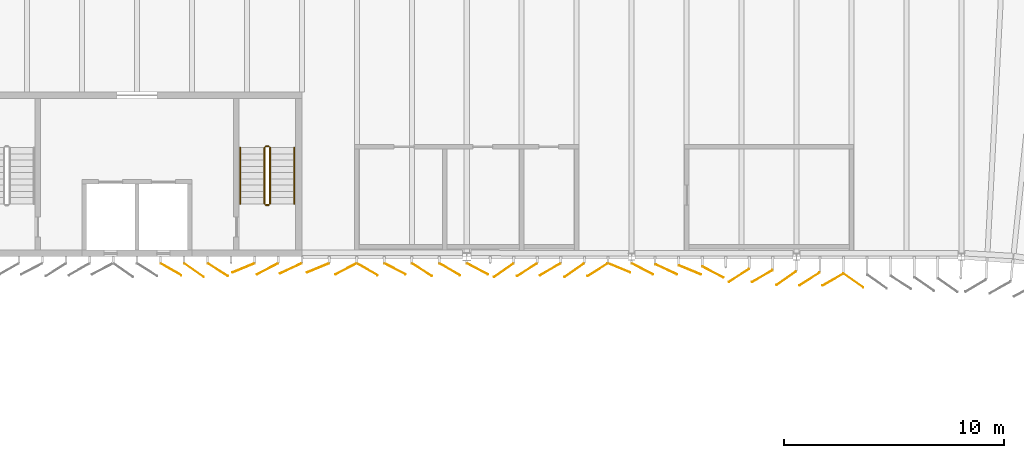
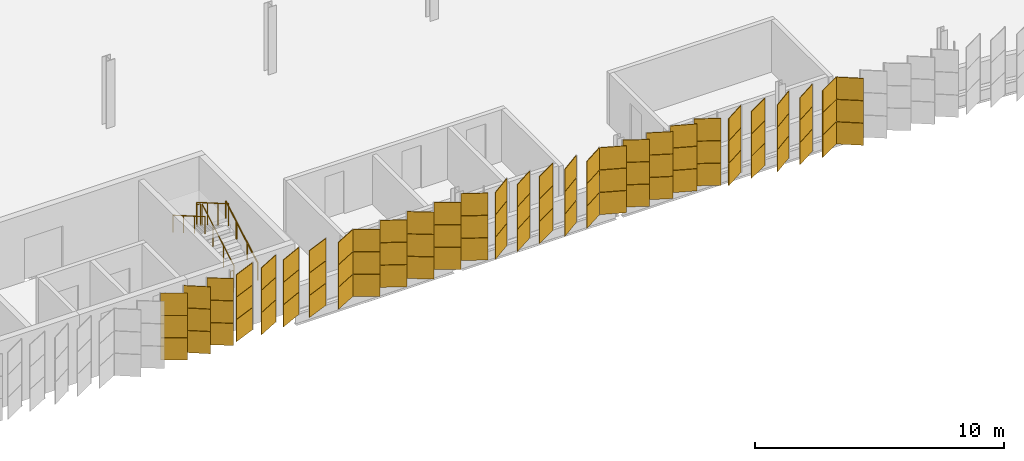
# One storey, part 192 of 199: 87 coverings, 6 railings.
"""IFC4 building model written with IfcOpenShell, lengths in metres."""

from ifc_helpers import new_model, si_unit, direction, frame, origin, origin_2d, place, context, subcontext, project, spatial, rectangle, circle, extrude, material, layer, layer_set, type_object, element, save


model = new_model("IFC4")

# Units and contexts
model_context = context("Model", 3, precision=1e-05, world=origin(), true_north=direction((0.0, 1.0)))
body_context = subcontext(model_context, "Body", "Model", "MODEL_VIEW")
ifc_project = project(units=[si_unit("LENGTHUNIT", "METRE"), si_unit("AREAUNIT", "SQUARE_METRE"), si_unit("VOLUMEUNIT", "CUBIC_METRE"), si_unit("PLANEANGLEUNIT", "RADIAN"), si_unit("MASSUNIT", "GRAM", prefix="KILO")], contexts=[model_context])

# Site, building, storey
site_placement = place(None, origin())
site = spatial("IfcSite", under=ifc_project, at=site_placement, CompositionType="ELEMENT")
building_placement = place(site_placement, origin())
building = spatial("IfcBuilding", under=site, at=building_placement, Name="Parallax Yard Mobility Hub", CompositionType="ELEMENT")
storey_placement = place(building_placement, frame((0.0, 0.0, 9.89990234375)))
storey = spatial("IfcBuildingStorey", under=building, at=storey_placement, Name="L03", CompositionType="ELEMENT", Elevation=9.89990234375)

# Coverings
ifc_material_1 = material(Name="Aluminium panel, champagne finish", Category="aluminium")
ifc_layer_1 = layer(ifc_material_1, 0.030029296875)
ifc_layer_set_1 = layer_set([ifc_layer_1], Name="Skin panel 22.5 degree turn, champagne finish")
covering_type_1 = type_object("IfcCoveringType", Name="Skin panel 22.5 degree turn, champagne finish", PredefinedType="CLADDING", material=ifc_layer_set_1)
for number, where, z_axis, x_axis, name in (
    (1, (139.839599609375, 111.987060546875, 0.02001953125), (0.0, 0.0, 1.0), (-0.923879532511, -0.382683432365, 0.0), "Skin panel 22.5 bay 13.12 row 1 level L03"),
    (2, (143.2333984375, 111.987060546875, 0.02001953125), (0.0, 0.0, 1.0), (-0.923879532511, -0.382683432365, 0.0), "Skin panel 22.5 bay 14.1 row 1 level L03"),
    (3, (156.9365234375, 111.987060546875, 0.02001953125), (0.0, 0.0, 1.0), (0.923879532511, -0.382683432365, 0.0), "Skin panel 22.5 bay 15.7 row 1 level L03"),
    (4, (160.151123046875, 111.892578125, 0.02001953125), (0.0, 0.0, 1.0), (0.923879532511, -0.382683432365, 0.0), "Skin panel 22.5 bay 16.3 row 1 level L03"),
):
    element("IfcCovering", number, at=place(storey_placement, frame(where, z_axis=z_axis, x_axis=x_axis)), inside=storey, type_object=covering_type_1, Name=name, ObjectType="SCREEN", PredefinedType="CLADDING", context=body_context, shape_type="SweptSolid", body=[
        extrude(rectangle(XDim=1.080078125, YDim=0.030029296875, at=origin_2d()), origin(), (0.0, 0.0, 1.0), 1.080078125),
    ])
ifc_material_2 = material(Name="Aluminium panel, silver anodised", Category="aluminium")
ifc_layer_2 = layer(ifc_material_2, 0.030029296875)
ifc_layer_set_2 = layer_set([ifc_layer_2], Name="Skin panel 22.5 degree turn, silver anodised")
covering_type_2 = type_object("IfcCoveringType", Name="Skin panel 22.5 degree turn, silver anodised", PredefinedType="CLADDING", material=ifc_layer_set_2)
for number, where, z_axis, x_axis, name in (
    (5, (139.839599609375, 111.987060546875, 1.1201171875), (0.0, 0.0, 1.0), (-0.923879532511, -0.382683432365, 0.0), "Skin panel 22.5 bay 13.12 row 2 level L03"),
    (6, (139.839599609375, 111.987060546875, 2.219970703125), (0.0, 0.0, 1.0), (-0.923879532511, -0.382683432365, 0.0), "Skin panel 22.5 bay 13.12 row 3 level L03"),
    (7, (143.2333984375, 111.987060546875, 1.1201171875), (0.0, 0.0, 1.0), (-0.923879532511, -0.382683432365, 0.0), "Skin panel 22.5 bay 14.1 row 2 level L03"),
    (8, (143.2333984375, 111.987060546875, 2.219970703125), (0.0, 0.0, 1.0), (-0.923879532511, -0.382683432365, 0.0), "Skin panel 22.5 bay 14.1 row 3 level L03"),
    (9, (156.9365234375, 111.987060546875, 1.1201171875), (0.0, 0.0, 1.0), (0.923879532511, -0.382683432365, 0.0), "Skin panel 22.5 bay 15.7 row 2 level L03"),
    (10, (156.9365234375, 111.987060546875, 2.219970703125), (0.0, 0.0, 1.0), (0.923879532511, -0.382683432365, 0.0), "Skin panel 22.5 bay 15.7 row 3 level L03"),
    (11, (160.151123046875, 111.892578125, 1.1201171875), (0.0, 0.0, 1.0), (0.923879532511, -0.382683432365, 0.0), "Skin panel 22.5 bay 16.3 row 2 level L03"),
    (12, (160.151123046875, 111.892578125, 2.219970703125), (0.0, 0.0, 1.0), (0.923879532511, -0.382683432365, 0.0), "Skin panel 22.5 bay 16.3 row 3 level L03"),
):
    element("IfcCovering", number, at=place(storey_placement, frame(where, z_axis=z_axis, x_axis=x_axis)), inside=storey, type_object=covering_type_2, Name=name, ObjectType="SCREEN", PredefinedType="CLADDING", context=body_context, shape_type="SweptSolid", body=[
        extrude(rectangle(XDim=1.080078125, YDim=0.030029296875, at=origin_2d()), origin(), (0.0, 0.0, 1.0), 1.080078125),
    ])
ifc_layer_3 = layer(ifc_material_1, 0.030029296875)
ifc_layer_set_3 = layer_set([ifc_layer_3], Name="Skin panel 25 degree turn, champagne finish")
covering_type_3 = type_object("IfcCoveringType", Name="Skin panel 25 degree turn, champagne finish", PredefinedType="CLADDING", material=ifc_layer_set_3)
for number, where, z_axis, x_axis, name in (
    (13, (141.993896484375, 111.96484375, 0.02001953125), (0.0, 0.0, 1.0), (-0.906307787037, -0.422618261741, 0.0), "Skin panel 25 bay 13.14 row 1 level L03"),
    (14, (159.06982421875, 111.923828125, 0.02001953125), (0.0, 0.0, 1.0), (0.906307787037, -0.422618261741, 0.0), "Skin panel 25 bay 16.2 row 1 level L03"),
):
    element("IfcCovering", number, at=place(storey_placement, frame(where, z_axis=z_axis, x_axis=x_axis)), inside=storey, type_object=covering_type_3, Name=name, ObjectType="SCREEN", PredefinedType="CLADDING", context=body_context, shape_type="SweptSolid", body=[
        extrude(rectangle(XDim=1.080078125, YDim=0.030029296875, at=origin_2d()), origin(), (0.0, 0.0, 1.0), 1.080078125),
    ])
ifc_layer_4 = layer(ifc_material_2, 0.030029296875)
ifc_layer_set_4 = layer_set([ifc_layer_4], Name="Skin panel 25 degree turn, silver anodised")
covering_type_4 = type_object("IfcCoveringType", Name="Skin panel 25 degree turn, silver anodised", PredefinedType="CLADDING", material=ifc_layer_set_4)
for number, where, z_axis, x_axis, name in (
    (15, (141.993896484375, 111.96484375, 1.1201171875), (0.0, 0.0, 1.0), (-0.906307787037, -0.422618261741, 0.0), "Skin panel 25 bay 13.14 row 2 level L03"),
    (16, (141.993896484375, 111.96484375, 2.219970703125), (0.0, 0.0, 1.0), (-0.906307787037, -0.422618261741, 0.0), "Skin panel 25 bay 13.14 row 3 level L03"),
    (17, (159.06982421875, 111.923828125, 1.1201171875), (0.0, 0.0, 1.0), (0.906307787037, -0.422618261741, 0.0), "Skin panel 25 bay 16.2 row 2 level L03"),
    (18, (159.06982421875, 111.923828125, 2.219970703125), (0.0, 0.0, 1.0), (0.906307787037, -0.422618261741, 0.0), "Skin panel 25 bay 16.2 row 3 level L03"),
):
    element("IfcCovering", number, at=place(storey_placement, frame(where, z_axis=z_axis, x_axis=x_axis)), inside=storey, type_object=covering_type_4, Name=name, ObjectType="SCREEN", PredefinedType="CLADDING", context=body_context, shape_type="SweptSolid", body=[
        extrude(rectangle(XDim=1.080078125, YDim=0.030029296875, at=origin_2d()), origin(), (0.0, 0.0, 1.0), 1.080078125),
    ])
ifc_layer_5 = layer(ifc_material_1, 0.030029296875)
ifc_layer_set_5 = layer_set([ifc_layer_5], Name="Skin panel 27.5 degree turn, champagne finish")
covering_type_5 = type_object("IfcCoveringType", Name="Skin panel 27.5 degree turn, champagne finish", PredefinedType="CLADDING", material=ifc_layer_set_5)
for number, where, z_axis, x_axis, name in (
    (19, (140.932373046875, 111.943115234375, 0.02001953125), (0.0, 0.0, 1.0), (-0.887010833178, -0.461748613235, 0.0), "Skin panel 27.5 bay 13.13 row 1 level L03"),
    (20, (144.5029296875, 111.943115234375, 0.02001953125), (0.0, 0.0, 1.0), (-0.887010833178, -0.461748613235, 0.0), "Skin panel 27.5 bay 14.2 row 1 level L03"),
    (21, (146.7392578125, 111.943115234375, 0.02001953125), (0.0, 0.0, 1.0), (0.887010833178, -0.461748613235, 0.0), "Skin panel 27.5 bay 14.4 row 1 level L03"),
    (22, (150.487060546875, 111.943115234375, 0.02001953125), (0.0, 0.0, 1.0), (0.887010833178, -0.461748613235, 0.0), "Skin panel 27.5 bay 15.1 row 1 level L03"),
    (23, (157.987548828125, 111.943115234375, 0.02001953125), (0.0, 0.0, 1.0), (0.887010833178, -0.461748613235, 0.0), "Skin panel 27.5 bay 16.1 row 1 level L03"),
    (24, (161.2021484375, 111.794921875, 0.02001953125), (0.0, 0.0, 1.0), (0.887010833178, -0.461748613235, 0.0), "Skin panel 27.5 bay 16.4 row 1 level L03"),
):
    element("IfcCovering", number, at=place(storey_placement, frame(where, z_axis=z_axis, x_axis=x_axis)), inside=storey, type_object=covering_type_5, Name=name, ObjectType="SCREEN", PredefinedType="CLADDING", context=body_context, shape_type="SweptSolid", body=[
        extrude(rectangle(XDim=1.080078125, YDim=0.030029296875, at=origin_2d()), origin(), (0.0, 0.0, 1.0), 1.080078125),
    ])
ifc_layer_6 = layer(ifc_material_2, 0.030029296875)
ifc_layer_set_6 = layer_set([ifc_layer_6], Name="Skin panel 27.5 degree turn, silver anodised")
covering_type_6 = type_object("IfcCoveringType", Name="Skin panel 27.5 degree turn, silver anodised", PredefinedType="CLADDING", material=ifc_layer_set_6)
for number, where, z_axis, x_axis, name in (
    (25, (140.932373046875, 111.943115234375, 1.1201171875), (0.0, 0.0, 1.0), (-0.887010833178, -0.461748613235, 0.0), "Skin panel 27.5 bay 13.13 row 2 level L03"),
    (26, (140.932373046875, 111.943115234375, 2.219970703125), (0.0, 0.0, 1.0), (-0.887010833178, -0.461748613235, 0.0), "Skin panel 27.5 bay 13.13 row 3 level L03"),
    (27, (144.5029296875, 111.943115234375, 1.1201171875), (0.0, 0.0, 1.0), (-0.887010833178, -0.461748613235, 0.0), "Skin panel 27.5 bay 14.2 row 2 level L03"),
    (28, (144.5029296875, 111.943115234375, 2.219970703125), (0.0, 0.0, 1.0), (-0.887010833178, -0.461748613235, 0.0), "Skin panel 27.5 bay 14.2 row 3 level L03"),
    (29, (146.7392578125, 111.943115234375, 1.1201171875), (0.0, 0.0, 1.0), (0.887010833178, -0.461748613235, 0.0), "Skin panel 27.5 bay 14.4 row 2 level L03"),
    (30, (146.7392578125, 111.943115234375, 2.219970703125), (0.0, 0.0, 1.0), (0.887010833178, -0.461748613235, 0.0), "Skin panel 27.5 bay 14.4 row 3 level L03"),
    (31, (150.487060546875, 111.943115234375, 1.1201171875), (0.0, 0.0, 1.0), (0.887010833178, -0.461748613235, 0.0), "Skin panel 27.5 bay 15.1 row 2 level L03"),
    (32, (150.487060546875, 111.943115234375, 2.219970703125), (0.0, 0.0, 1.0), (0.887010833178, -0.461748613235, 0.0), "Skin panel 27.5 bay 15.1 row 3 level L03"),
    (33, (157.987548828125, 111.943115234375, 1.1201171875), (0.0, 0.0, 1.0), (0.887010833178, -0.461748613235, 0.0), "Skin panel 27.5 bay 16.1 row 2 level L03"),
    (34, (157.987548828125, 111.943115234375, 2.219970703125), (0.0, 0.0, 1.0), (0.887010833178, -0.461748613235, 0.0), "Skin panel 27.5 bay 16.1 row 3 level L03"),
    (35, (161.2021484375, 111.794921875, 1.1201171875), (0.0, 0.0, 1.0), (0.887010833178, -0.461748613235, 0.0), "Skin panel 27.5 bay 16.4 row 2 level L03"),
    (36, (161.2021484375, 111.794921875, 2.219970703125), (0.0, 0.0, 1.0), (0.887010833178, -0.461748613235, 0.0), "Skin panel 27.5 bay 16.4 row 3 level L03"),
):
    element("IfcCovering", number, at=place(storey_placement, frame(where, z_axis=z_axis, x_axis=x_axis)), inside=storey, type_object=covering_type_6, Name=name, ObjectType="SCREEN", PredefinedType="CLADDING", context=body_context, shape_type="SweptSolid", body=[
        extrude(rectangle(XDim=1.080078125, YDim=0.030029296875, at=origin_2d()), origin(), (0.0, 0.0, 1.0), 1.080078125),
    ])
ifc_layer_7 = layer(ifc_material_1, 0.030029296875)
ifc_layer_set_7 = layer_set([ifc_layer_7], Name="Skin panel 30 degree turn, champagne finish")
covering_type_7 = type_object("IfcCoveringType", Name="Skin panel 30 degree turn, champagne finish", PredefinedType="CLADDING", material=ifc_layer_set_7)
for number, where, z_axis, x_axis, name in (
    (37, (136.54638671875, 111.921875, 0.02001953125), (0.0, 0.0, 1.0), (0.866025403784, -0.5, 0.0), "Skin panel 30 bay 13.9 row 1 level L03"),
    (38, (145.478271484375, 111.921875, 0.02001953125), (0.0, 0.0, 1.0), (0.866025403784, -0.5, 0.0), "Skin panel 30 bay 14.3 row 1 level L03"),
    (39, (149.22607421875, 111.921875, 0.02001953125), (0.0, 0.0, 1.0), (0.866025403784, -0.5, 0.0), "Skin panel 30 bay 14.6 row 1 level L03"),
    (40, (153.797607421875, 111.921875, 0.02001953125), (0.0, 0.0, 1.0), (-0.866025403784, -0.5, 0.0), "Skin panel 30 bay 15.4 row 1 level L03"),
    (41, (163.44140625, 111.61279296875, 0.02001953125), (0.0, 0.0, 1.0), (-0.866025403784, -0.5, 0.0), "Skin panel 30 bay 16.6 row 1 level L03"),
    (42, (166.65576171875, 111.4521484375, 0.02001953125), (0.0, 0.0, 1.0), (-0.866025403784, -0.5, 0.0), "Skin panel 30 bay 17.2 row 1 level L03"),
):
    element("IfcCovering", number, at=place(storey_placement, frame(where, z_axis=z_axis, x_axis=x_axis)), inside=storey, type_object=covering_type_7, Name=name, ObjectType="SCREEN", PredefinedType="CLADDING", context=body_context, shape_type="SweptSolid", body=[
        extrude(rectangle(XDim=1.080078125, YDim=0.030029296875, at=origin_2d()), origin(), (0.0, 0.0, 1.0), 1.080078125),
    ])
ifc_layer_8 = layer(ifc_material_2, 0.030029296875)
ifc_layer_set_8 = layer_set([ifc_layer_8], Name="Skin panel 30 degree turn, silver anodised")
covering_type_8 = type_object("IfcCoveringType", Name="Skin panel 30 degree turn, silver anodised", PredefinedType="CLADDING", material=ifc_layer_set_8)
for number, where, z_axis, x_axis, name in (
    (43, (136.54638671875, 111.921875, 1.1201171875), (0.0, 0.0, 1.0), (0.866025403784, -0.5, 0.0), "Skin panel 30 bay 13.9 row 2 level L03"),
    (44, (136.54638671875, 111.921875, 2.219970703125), (0.0, 0.0, 1.0), (0.866025403784, -0.5, 0.0), "Skin panel 30 bay 13.9 row 3 level L03"),
    (45, (145.478271484375, 111.921875, 1.1201171875), (0.0, 0.0, 1.0), (0.866025403784, -0.5, 0.0), "Skin panel 30 bay 14.3 row 2 level L03"),
    (46, (145.478271484375, 111.921875, 2.219970703125), (0.0, 0.0, 1.0), (0.866025403784, -0.5, 0.0), "Skin panel 30 bay 14.3 row 3 level L03"),
    (47, (149.22607421875, 111.921875, 1.1201171875), (0.0, 0.0, 1.0), (0.866025403784, -0.5, 0.0), "Skin panel 30 bay 14.6 row 2 level L03"),
    (48, (149.22607421875, 111.921875, 2.219970703125), (0.0, 0.0, 1.0), (0.866025403784, -0.5, 0.0), "Skin panel 30 bay 14.6 row 3 level L03"),
    (49, (153.797607421875, 111.921875, 1.1201171875), (0.0, 0.0, 1.0), (-0.866025403784, -0.5, 0.0), "Skin panel 30 bay 15.4 row 2 level L03"),
    (50, (153.797607421875, 111.921875, 2.219970703125), (0.0, 0.0, 1.0), (-0.866025403784, -0.5, 0.0), "Skin panel 30 bay 15.4 row 3 level L03"),
    (51, (163.44140625, 111.61279296875, 1.1201171875), (0.0, 0.0, 1.0), (-0.866025403784, -0.5, 0.0), "Skin panel 30 bay 16.6 row 2 level L03"),
    (52, (163.44140625, 111.61279296875, 2.219970703125), (0.0, 0.0, 1.0), (-0.866025403784, -0.5, 0.0), "Skin panel 30 bay 16.6 row 3 level L03"),
    (53, (166.65576171875, 111.4521484375, 1.1201171875), (0.0, 0.0, 1.0), (-0.866025403784, -0.5, 0.0), "Skin panel 30 bay 17.2 row 2 level L03"),
    (54, (166.65576171875, 111.4521484375, 2.219970703125), (0.0, 0.0, 1.0), (-0.866025403784, -0.5, 0.0), "Skin panel 30 bay 17.2 row 3 level L03"),
):
    element("IfcCovering", number, at=place(storey_placement, frame(where, z_axis=z_axis, x_axis=x_axis)), inside=storey, type_object=covering_type_8, Name=name, ObjectType="SCREEN", PredefinedType="CLADDING", context=body_context, shape_type="SweptSolid", body=[
        extrude(rectangle(XDim=1.080078125, YDim=0.030029296875, at=origin_2d()), origin(), (0.0, 0.0, 1.0), 1.080078125),
    ])
ifc_layer_9 = layer(ifc_material_1, 0.030029296875)
ifc_layer_set_9 = layer_set([ifc_layer_9], Name="Skin panel 32.5 degree turn, champagne finish")
covering_type_9 = type_object("IfcCoveringType", Name="Skin panel 32.5 degree turn, champagne finish", PredefinedType="CLADDING", material=ifc_layer_set_9)
for number, where, z_axis, x_axis, name in (
    (55, (138.678466796875, 111.901123046875, 0.02001953125), (0.0, 0.0, 1.0), (0.843391445813, -0.537299608347, 0.0), "Skin panel 32.5 bay 13.11 row 1 level L03"),
    (56, (147.96435546875, 111.901123046875, 0.02001953125), (0.0, 0.0, 1.0), (0.843391445813, -0.537299608347, 0.0), "Skin panel 32.5 bay 14.5 row 1 level L03"),
    (57, (152.73876953125, 111.901123046875, 0.02001953125), (0.0, 0.0, 1.0), (-0.843391445813, -0.537299608347, 0.0), "Skin panel 32.5 bay 15.3 row 1 level L03"),
    (58, (155.953369140625, 111.901123046875, 0.02001953125), (0.0, 0.0, 1.0), (-0.843391445813, -0.537299608347, 0.0), "Skin panel 32.5 bay 15.6 row 1 level L03"),
    (59, (162.38232421875, 111.645751953125, 0.02001953125), (0.0, 0.0, 1.0), (-0.843391445813, -0.537299608347, 0.0), "Skin panel 32.5 bay 16.5 row 1 level L03"),
    (60, (165.596923828125, 111.485107421875, 0.02001953125), (0.0, 0.0, 1.0), (-0.843391445813, -0.537299608347, 0.0), "Skin panel 32.5 bay 17.1 row 1 level L03"),
):
    element("IfcCovering", number, at=place(storey_placement, frame(where, z_axis=z_axis, x_axis=x_axis)), inside=storey, type_object=covering_type_9, Name=name, ObjectType="SCREEN", PredefinedType="CLADDING", context=body_context, shape_type="SweptSolid", body=[
        extrude(rectangle(XDim=1.080078125, YDim=0.030029296875, at=origin_2d()), origin(), (0.0, 0.0, 1.0), 1.080078125),
    ])
ifc_layer_10 = layer(ifc_material_2, 0.030029296875)
ifc_layer_set_10 = layer_set([ifc_layer_10], Name="Skin panel 32.5 degree turn, silver anodised")
covering_type_10 = type_object("IfcCoveringType", Name="Skin panel 32.5 degree turn, silver anodised", PredefinedType="CLADDING", material=ifc_layer_set_10)
for number, where, z_axis, x_axis, name in (
    (61, (138.678466796875, 111.901123046875, 1.1201171875), (0.0, 0.0, 1.0), (0.843391445813, -0.537299608347, 0.0), "Skin panel 32.5 bay 13.11 row 2 level L03"),
    (62, (138.678466796875, 111.901123046875, 2.219970703125), (0.0, 0.0, 1.0), (0.843391445813, -0.537299608347, 0.0), "Skin panel 32.5 bay 13.11 row 3 level L03"),
    (63, (147.96435546875, 111.901123046875, 1.1201171875), (0.0, 0.0, 1.0), (0.843391445813, -0.537299608347, 0.0), "Skin panel 32.5 bay 14.5 row 2 level L03"),
    (64, (147.96435546875, 111.901123046875, 2.219970703125), (0.0, 0.0, 1.0), (0.843391445813, -0.537299608347, 0.0), "Skin panel 32.5 bay 14.5 row 3 level L03"),
    (65, (152.73876953125, 111.901123046875, 1.1201171875), (0.0, 0.0, 1.0), (-0.843391445813, -0.537299608347, 0.0), "Skin panel 32.5 bay 15.3 row 2 level L03"),
    (66, (152.73876953125, 111.901123046875, 2.219970703125), (0.0, 0.0, 1.0), (-0.843391445813, -0.537299608347, 0.0), "Skin panel 32.5 bay 15.3 row 3 level L03"),
    (67, (155.953369140625, 111.901123046875, 1.1201171875), (0.0, 0.0, 1.0), (-0.843391445813, -0.537299608347, 0.0), "Skin panel 32.5 bay 15.6 row 2 level L03"),
    (68, (155.953369140625, 111.901123046875, 2.219970703125), (0.0, 0.0, 1.0), (-0.843391445813, -0.537299608347, 0.0), "Skin panel 32.5 bay 15.6 row 3 level L03"),
    (69, (162.38232421875, 111.645751953125, 1.1201171875), (0.0, 0.0, 1.0), (-0.843391445813, -0.537299608347, 0.0), "Skin panel 32.5 bay 16.5 row 2 level L03"),
    (70, (162.38232421875, 111.645751953125, 2.219970703125), (0.0, 0.0, 1.0), (-0.843391445813, -0.537299608347, 0.0), "Skin panel 32.5 bay 16.5 row 3 level L03"),
    (71, (165.596923828125, 111.485107421875, 1.1201171875), (0.0, 0.0, 1.0), (-0.843391445813, -0.537299608347, 0.0), "Skin panel 32.5 bay 17.1 row 2 level L03"),
    (72, (165.596923828125, 111.485107421875, 2.219970703125), (0.0, 0.0, 1.0), (-0.843391445813, -0.537299608347, 0.0), "Skin panel 32.5 bay 17.1 row 3 level L03"),
):
    element("IfcCovering", number, at=place(storey_placement, frame(where, z_axis=z_axis, x_axis=x_axis)), inside=storey, type_object=covering_type_10, Name=name, ObjectType="SCREEN", PredefinedType="CLADDING", context=body_context, shape_type="SweptSolid", body=[
        extrude(rectangle(XDim=1.080078125, YDim=0.030029296875, at=origin_2d()), origin(), (0.0, 0.0, 1.0), 1.080078125),
    ])
ifc_layer_11 = layer(ifc_material_1, 0.030029296875)
ifc_layer_set_11 = layer_set([ifc_layer_11], Name="Skin panel 35 degree turn, champagne finish")
covering_type_11 = type_object("IfcCoveringType", Name="Skin panel 35 degree turn, champagne finish", PredefinedType="CLADDING", material=ifc_layer_set_11)
for number, where, z_axis, x_axis, name in (
    (73, (137.5927734375, 111.880859375, 0.02001953125), (0.0, 0.0, 1.0), (0.819152044289, -0.573576436351, 0.0), "Skin panel 35 bay 13.10 row 1 level L03"),
    (74, (151.680908203125, 111.880859375, 0.02001953125), (0.0, 0.0, 1.0), (-0.819152044289, -0.573576436351, 0.0), "Skin panel 35 bay 15.2 row 1 level L03"),
    (75, (154.895263671875, 111.880859375, 0.02001953125), (0.0, 0.0, 1.0), (-0.819152044289, -0.573576436351, 0.0), "Skin panel 35 bay 15.5 row 1 level L03"),
    (76, (164.538818359375, 111.518310546875, 0.02001953125), (0.0, 0.0, 1.0), (-0.819152044289, -0.573576436351, 0.0), "Skin panel 35 bay 16.7 row 1 level L03"),
    (77, (167.59326171875, 111.4111328125, 0.02001953125), (0.0, 0.0, 1.0), (0.819152044289, -0.573576436351, 0.0), "Skin panel 35 bay 17.3 row 1 level L03"),
):
    element("IfcCovering", number, at=place(storey_placement, frame(where, z_axis=z_axis, x_axis=x_axis)), inside=storey, type_object=covering_type_11, Name=name, ObjectType="SCREEN", PredefinedType="CLADDING", context=body_context, shape_type="SweptSolid", body=[
        extrude(rectangle(XDim=1.080078125, YDim=0.030029296875, at=origin_2d()), origin(), (0.0, 0.0, 1.0), 1.080078125),
    ])
ifc_layer_12 = layer(ifc_material_2, 0.030029296875)
ifc_layer_set_12 = layer_set([ifc_layer_12], Name="Skin panel 35 degree turn, silver anodised")
covering_type_12 = type_object("IfcCoveringType", Name="Skin panel 35 degree turn, silver anodised", PredefinedType="CLADDING", material=ifc_layer_set_12)
for number, where, z_axis, x_axis, name in (
    (78, (137.5927734375, 111.880859375, 1.1201171875), (0.0, 0.0, 1.0), (0.819152044289, -0.573576436351, 0.0), "Skin panel 35 bay 13.10 row 2 level L03"),
    (79, (137.5927734375, 111.880859375, 2.219970703125), (0.0, 0.0, 1.0), (0.819152044289, -0.573576436351, 0.0), "Skin panel 35 bay 13.10 row 3 level L03"),
    (80, (151.680908203125, 111.880859375, 1.1201171875), (0.0, 0.0, 1.0), (-0.819152044289, -0.573576436351, 0.0), "Skin panel 35 bay 15.2 row 2 level L03"),
    (81, (151.680908203125, 111.880859375, 2.219970703125), (0.0, 0.0, 1.0), (-0.819152044289, -0.573576436351, 0.0), "Skin panel 35 bay 15.2 row 3 level L03"),
    (82, (154.895263671875, 111.880859375, 1.1201171875), (0.0, 0.0, 1.0), (-0.819152044289, -0.573576436351, 0.0), "Skin panel 35 bay 15.5 row 2 level L03"),
    (83, (154.895263671875, 111.880859375, 2.219970703125), (0.0, 0.0, 1.0), (-0.819152044289, -0.573576436351, 0.0), "Skin panel 35 bay 15.5 row 3 level L03"),
    (84, (164.538818359375, 111.518310546875, 1.1201171875), (0.0, 0.0, 1.0), (-0.819152044289, -0.573576436351, 0.0), "Skin panel 35 bay 16.7 row 2 level L03"),
    (85, (164.538818359375, 111.518310546875, 2.219970703125), (0.0, 0.0, 1.0), (-0.819152044289, -0.573576436351, 0.0), "Skin panel 35 bay 16.7 row 3 level L03"),
    (86, (167.59326171875, 111.4111328125, 1.1201171875), (0.0, 0.0, 1.0), (0.819152044289, -0.573576436351, 0.0), "Skin panel 35 bay 17.3 row 2 level L03"),
    (87, (167.59326171875, 111.4111328125, 2.219970703125), (0.0, 0.0, 1.0), (0.819152044289, -0.573576436351, 0.0), "Skin panel 35 bay 17.3 row 3 level L03"),
):
    element("IfcCovering", number, at=place(storey_placement, frame(where, z_axis=z_axis, x_axis=x_axis)), inside=storey, type_object=covering_type_12, Name=name, ObjectType="SCREEN", PredefinedType="CLADDING", context=body_context, shape_type="SweptSolid", body=[
        extrude(rectangle(XDim=1.080078125, YDim=0.030029296875, at=origin_2d()), origin(), (0.0, 0.0, 1.0), 1.080078125),
    ])

# Railings
ifc_material_3 = material(Name="Steel ASTM A36", Category="steel")
railing_type_1 = type_object("IfcRailingType", Name="Stair guard 1100", PredefinedType="GUARDRAIL", material=ifc_material_3)
railing_1_placement = place(storey_placement, frame((141.050048828125, 114.89990234375, 0.1650390625)))
element("IfcRailing", 88, at=railing_1_placement, inside=storey, type_object=railing_type_1, Name="L03 ST5 stair guard 1", PredefinedType="GUARDRAIL", context=body_context, shape_type="SweptSolid", body=[
    extrude(circle(Radius=0.02392578125, at=origin_2d()), frame((0.0, 0.0, 1.076171875), z_axis=(0.0, 0.865426285481, 0.501036270542), x_axis=(-1.0, 0.0, 0.0)), (0.0, 0.0, 1.0), 2.964111328125),
    extrude(circle(Radius=0.02099609375, at=origin_2d()), origin(), (0.0, 0.0, 1.0), 1.052001953125),
    extrude(circle(Radius=0.02099609375, at=origin_2d()), frame((0.0, 0.85498046875, 0.4951171875)), (0.0, 0.0, 1.0), 1.052001953125),
    extrude(circle(Radius=0.02099609375, at=origin_2d()), frame((0.0, 1.710205078125, 0.989990234375)), (0.0, 0.0, 1.0), 1.052001953125),
    extrude(circle(Radius=0.02099609375, at=origin_2d()), frame((0.0, 2.565185546875, 1.485107421875)), (0.0, 0.0, 1.0), 1.052001953125),
])
railing_2_placement = place(storey_placement, frame((141.0, 117.514892578125, 1.650146484375)))
element("IfcRailing", 89, at=railing_2_placement, inside=storey, type_object=railing_type_1, Name="L03 ST5 stair guard 2", PredefinedType="GUARDRAIL", context=body_context, shape_type="SweptSolid", body=[
    extrude(circle(Radius=0.02392578125, at=origin_2d()), frame((0.0, 0.0, 1.076171875), z_axis=(-1.0, 0.0, 0.0), x_axis=(0.0, -1.0, 0.0)), (0.0, 0.0, 1.0), 0.14990234375),
    extrude(circle(Radius=0.02099609375, at=origin_2d()), origin(), (0.0, 0.0, 1.0), 1.052001953125),
    extrude(circle(Radius=0.02099609375, at=origin_2d()), frame((-0.14990234375, 0.0, 0.0)), (0.0, 0.0, 1.0), 1.052001953125),
])
railing_3_placement = place(storey_placement, frame((140.800048828125, 117.465087890625, 1.815185546875)))
element("IfcRailing", 90, at=railing_3_placement, inside=storey, type_object=railing_type_1, Name="L03 ST5 stair guard 3", PredefinedType="GUARDRAIL", context=body_context, shape_type="SweptSolid", body=[
    extrude(circle(Radius=0.02392578125, at=origin_2d()), frame((0.0, 0.0, 1.076171875), z_axis=(0.0, -0.865461999751, 0.500974577186), x_axis=(1.0, 0.0, 0.0)), (0.0, 0.0, 1.0), 2.9638671875),
    extrude(circle(Radius=0.02099609375, at=origin_2d()), origin(), (0.0, 0.0, 1.0), 1.052001953125),
    extrude(circle(Radius=0.02099609375, at=origin_2d()), frame((0.0, -0.85498046875, 0.494873046875)), (0.0, 0.0, 1.0), 1.052001953125),
    extrude(circle(Radius=0.02099609375, at=origin_2d()), frame((0.0, -1.710205078125, 0.989990234375)), (0.0, 0.0, 1.0), 1.052001953125),
    extrude(circle(Radius=0.02099609375, at=origin_2d()), frame((0.0, -2.565185546875, 1.48486328125)), (0.0, 0.0, 1.0), 1.052001953125),
])
railing_4_placement = place(storey_placement, frame((141.0, 114.85009765625, 0.0)))
element("IfcRailing", 91, at=railing_4_placement, inside=storey, type_object=railing_type_1, Name="L03 ST5 stair guard 4", PredefinedType="GUARDRAIL", context=body_context, shape_type="SweptSolid", body=[
    extrude(circle(Radius=0.02392578125, at=origin_2d()), frame((0.0, 0.0, 1.076171875), z_axis=(-1.0, 0.0, 0.0), x_axis=(0.0, -1.0, 0.0)), (0.0, 0.0, 1.0), 0.14990234375),
    extrude(circle(Radius=0.02099609375, at=origin_2d()), origin(), (0.0, 0.0, 1.0), 1.052001953125),
    extrude(circle(Radius=0.02099609375, at=origin_2d()), frame((-0.14990234375, 0.0, 0.0)), (0.0, 0.0, 1.0), 1.052001953125),
])
railing_type_2 = type_object("IfcRailingType", Name="Stair handrail", PredefinedType="HANDRAIL", material=ifc_material_3)
railing_5_placement = place(storey_placement, frame((142.14990234375, 114.89990234375, 0.1650390625)))
element("IfcRailing", 92, at=railing_5_placement, inside=storey, type_object=railing_type_2, Name="L03 ST5 stair handrail 1", PredefinedType="HANDRAIL", context=body_context, shape_type="SweptSolid", body=[
    extrude(circle(Radius=0.02392578125, at=origin_2d()), frame((0.0, 0.0, 0.8310546875), z_axis=(0.0, 0.865426285481, 0.501036270542), x_axis=(-1.0, 0.0, 0.0)), (0.0, 0.0, 1.0), 2.964111328125),
    extrude(circle(Radius=0.02099609375, at=origin_2d()), origin(), (0.0, 0.0, 1.0), 0.806884765625),
    extrude(circle(Radius=0.02099609375, at=origin_2d()), frame((0.0, 0.85498046875, 0.4951171875)), (0.0, 0.0, 1.0), 0.806884765625),
    extrude(circle(Radius=0.02099609375, at=origin_2d()), frame((0.0, 1.710205078125, 0.989990234375)), (0.0, 0.0, 1.0), 0.806884765625),
    extrude(circle(Radius=0.02099609375, at=origin_2d()), frame((0.0, 2.565185546875, 1.485107421875)), (0.0, 0.0, 1.0), 0.806884765625),
])
railing_6_placement = place(storey_placement, frame((139.699951171875, 117.465087890625, 1.815185546875)))
element("IfcRailing", 93, at=railing_6_placement, inside=storey, type_object=railing_type_2, Name="L03 ST5 stair handrail 2", PredefinedType="HANDRAIL", context=body_context, shape_type="SweptSolid", body=[
    extrude(circle(Radius=0.02392578125, at=origin_2d()), frame((0.0, 0.0, 0.8310546875), z_axis=(0.0, -0.865461999751, 0.500974577186), x_axis=(1.0, 0.0, 0.0)), (0.0, 0.0, 1.0), 2.9638671875),
    extrude(circle(Radius=0.02099609375, at=origin_2d()), origin(), (0.0, 0.0, 1.0), 0.806884765625),
    extrude(circle(Radius=0.02099609375, at=origin_2d()), frame((0.0, -0.85498046875, 0.494873046875)), (0.0, 0.0, 1.0), 0.806884765625),
    extrude(circle(Radius=0.02099609375, at=origin_2d()), frame((0.0, -1.710205078125, 0.989990234375)), (0.0, 0.0, 1.0), 0.806884765625),
    extrude(circle(Radius=0.02099609375, at=origin_2d()), frame((0.0, -2.565185546875, 1.48486328125)), (0.0, 0.0, 1.0), 0.806884765625),
])

save(model, "model.ifc")
